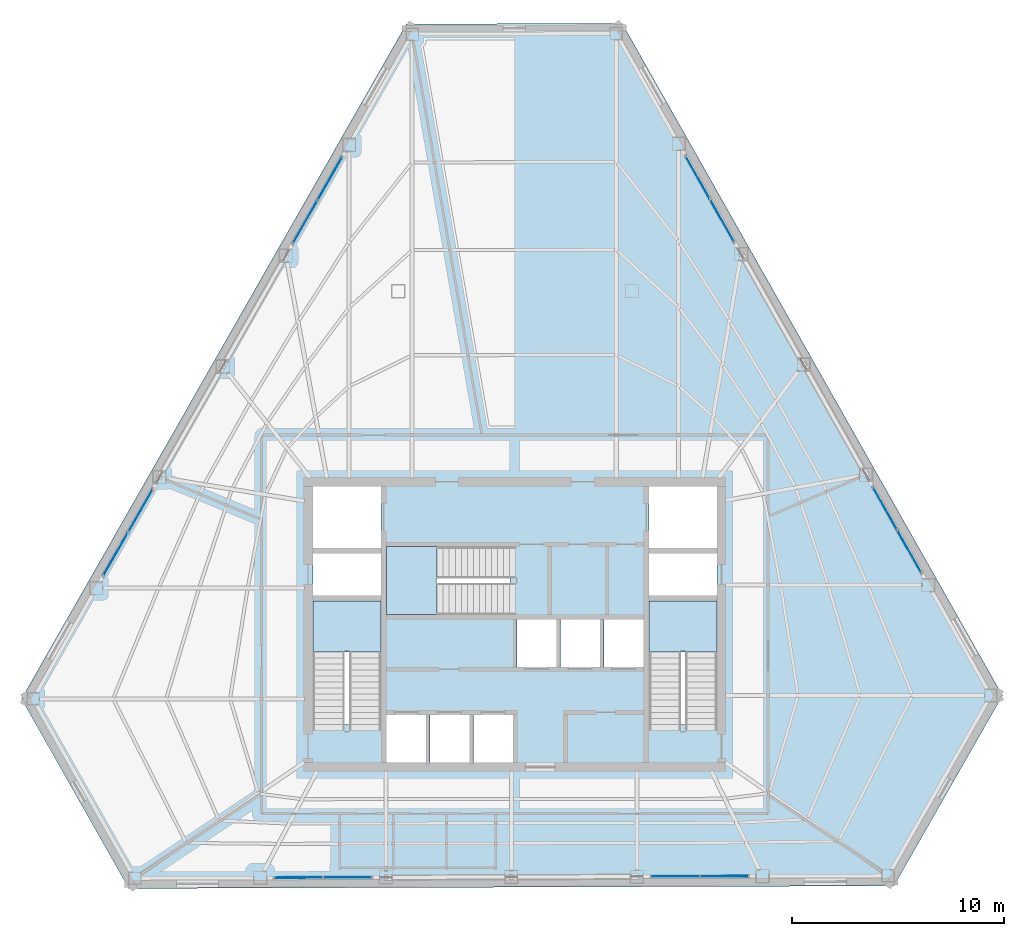
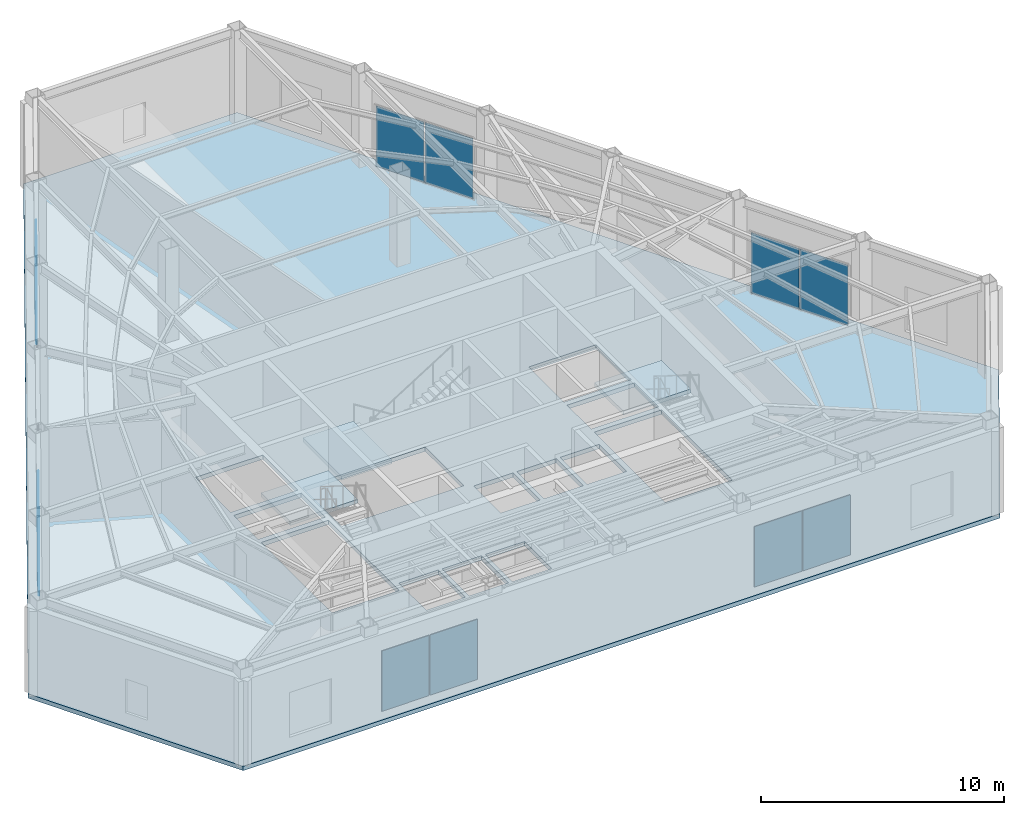
# One storey, part 8 of 14: 12 plates, 4 slabs, 9 elements without a shape of their own.
"""IFC4 building model written with IfcOpenShell, lengths in metres."""

from ifc_helpers import new_model, si_unit, direction, frame, origin, origin_2d, place, context, subcontext, project, spatial, polyline, rectangle, outline, extrude, material, layer, layer_set, type_object, element, aggregate, save


model = new_model("IFC4")

# Units and contexts
model_context = context("Model", 3, precision=1e-05, world=origin(), true_north=direction((0.0, 1.0)))
body_context = subcontext(model_context, "Body", "Model", "MODEL_VIEW")
ifc_project = project(units=[si_unit("LENGTHUNIT", "METRE"), si_unit("AREAUNIT", "SQUARE_METRE"), si_unit("VOLUMEUNIT", "CUBIC_METRE"), si_unit("PLANEANGLEUNIT", "RADIAN"), si_unit("MASSUNIT", "GRAM", prefix="KILO")], contexts=[model_context])

# Site, building, storey
site_placement = place(None, origin())
site = spatial("IfcSite", under=ifc_project, at=site_placement, CompositionType="ELEMENT")
building_placement = place(site_placement, origin())
building = spatial("IfcBuilding", under=site, at=building_placement, Name="Kavelnor Concourse Tower", CompositionType="ELEMENT")
storey_placement = place(building_placement, frame((0.0, 0.0, 160.0)))
storey = spatial("IfcBuildingStorey", under=building, at=storey_placement, Name="L40", CompositionType="ELEMENT", Elevation=160.0)

# Curtain wall, plates
ifc_material_1 = material(Name="Anodised aluminium 6063-T6", Category="aluminium")
ifc_layer_1 = layer(ifc_material_1, 0.169921875, Name="Anodised aluminium 6063-T6")
ifc_layer_set_1 = layer_set([ifc_layer_1], Name="Anodised aluminium 6063-T6")
curtain_wall_type = type_object("IfcCurtainWallType", Name="CW-SKYLOBBY-L40", PredefinedType="NOTDEFINED", material=ifc_layer_set_1)
curtain_wall_1_placement = place(storey_placement, origin())
curtain_wall_1 = element("IfcCurtainWall", 1, at=curtain_wall_1_placement, inside=storey, type_object=curtain_wall_type, Name="L40 Feature Curtain Wall F0-B1", PredefinedType="NOTDEFINED")
ifc_material_2 = material(Name="Double low-E argon insulated glazing", Category="glass")
ifc_layer_2 = layer(ifc_material_2, 0.028076171875, Name="Double low-E argon insulated glazing")
ifc_layer_set_2 = layer_set([ifc_layer_2], Name="Double low-E argon insulated glazing")
plate_type = type_object("IfcPlateType", Name="CW-SKYLOBBY-L40-PANEL", PredefinedType="CURTAIN_PANEL", material=ifc_layer_set_2)
plate_1_placement = place(storey_placement, frame((29.27880859375, 37.10791015625, 0.06005859375), z_axis=(0.0, 0.0, 1.0), x_axis=(-0.495458668432, -0.868631514438, 0.0)))
plate_1 = element("IfcPlate", 2, at=plate_1_placement, type_object=plate_type, Name="L40 Feature Curtain Wall F0-B1 Vision Panel 1", PredefinedType="CURTAIN_PANEL", context=body_context, shape_type="SweptSolid", body=[
    extrude(rectangle(XDim=2.30126953125, YDim=0.028076171875, at=origin_2d()), origin(), (0.0, 0.0, 1.0), 3.030029296875),
])
plate_2_placement = place(storey_placement, frame((28.11181640625, 35.06201171875, 0.06005859375), z_axis=(0.0, 0.0, 1.0), x_axis=(-0.495458668432, -0.868631514438, 0.0)))
plate_2 = element("IfcPlate", 3, at=plate_2_placement, type_object=plate_type, Name="L40 Feature Curtain Wall F0-B1 Vision Panel 2", PredefinedType="CURTAIN_PANEL", context=body_context, shape_type="SweptSolid", body=[
    extrude(rectangle(XDim=2.30126953125, YDim=0.028076171875, at=origin_2d()), origin(), (0.0, 0.0, 1.0), 3.030029296875),
])
aggregate(curtain_wall_1, [plate_1, plate_2])

curtain_wall_2_placement = place(storey_placement, origin())
curtain_wall_2 = element("IfcCurtainWall", 4, at=curtain_wall_2_placement, inside=storey, type_object=curtain_wall_type, Name="L40 Feature Curtain Wall F0-B4", PredefinedType="NOTDEFINED")
plate_3_placement = place(storey_placement, frame((20.345703125, 21.4453125, 0.06005859375), z_axis=(0.0, 0.0, 1.0), x_axis=(-0.495458668432, -0.868631514438, 0.0)))
plate_3 = element("IfcPlate", 5, at=plate_3_placement, type_object=plate_type, Name="L40 Feature Curtain Wall F0-B4 Vision Panel 1", PredefinedType="CURTAIN_PANEL", context=body_context, shape_type="SweptSolid", body=[
    extrude(rectangle(XDim=2.30126953125, YDim=0.028076171875, at=origin_2d()), origin(), (0.0, 0.0, 1.0), 3.030029296875),
])
plate_4_placement = place(storey_placement, frame((19.178955078125, 19.3994140625, 0.06005859375), z_axis=(0.0, 0.0, 1.0), x_axis=(-0.495458668432, -0.868631514438, 0.0)))
plate_4 = element("IfcPlate", 6, at=plate_4_placement, type_object=plate_type, Name="L40 Feature Curtain Wall F0-B4 Vision Panel 2", PredefinedType="CURTAIN_PANEL", context=body_context, shape_type="SweptSolid", body=[
    extrude(rectangle(XDim=2.30126953125, YDim=0.028076171875, at=origin_2d()), origin(), (0.0, 0.0, 1.0), 3.030029296875),
])
aggregate(curtain_wall_2, [plate_3, plate_4])

curtain_wall_3_placement = place(storey_placement, origin())
curtain_wall_3 = element("IfcCurtainWall", 7, at=curtain_wall_3_placement, inside=storey, type_object=curtain_wall_type, Name="L40 Feature Curtain Wall F1-B1", PredefinedType="NOTDEFINED")
plate_5_placement = place(storey_placement, frame((27.803955078125, 4.15966796875, 0.06005859375), z_axis=(0.0, 0.0, 1.0), x_axis=(0.999994501661, 0.003316119501, 0.0)))
plate_5 = element("IfcPlate", 8, at=plate_5_placement, type_object=plate_type, Name="L40 Feature Curtain Wall F1-B1 Vision Panel 1", PredefinedType="CURTAIN_PANEL", context=body_context, shape_type="SweptSolid", body=[
    extrude(rectangle(XDim=2.2548828125, YDim=0.028076171875, at=origin_2d()), origin(), (0.0, 0.0, 1.0), 3.030029296875),
])
plate_6_placement = place(storey_placement, frame((30.11279296875, 4.16748046875, 0.06005859375), z_axis=(0.0, 0.0, 1.0), x_axis=(0.999994501661, 0.003316119501, 0.0)))
plate_6 = element("IfcPlate", 9, at=plate_6_placement, type_object=plate_type, Name="L40 Feature Curtain Wall F1-B1 Vision Panel 2", PredefinedType="CURTAIN_PANEL", context=body_context, shape_type="SweptSolid", body=[
    extrude(rectangle(XDim=2.2548828125, YDim=0.028076171875, at=origin_2d()), origin(), (0.0, 0.0, 1.0), 3.030029296875),
])
aggregate(curtain_wall_3, [plate_5, plate_6])

curtain_wall_4_placement = place(storey_placement, origin())
curtain_wall_4 = element("IfcCurtainWall", 10, at=curtain_wall_4_placement, inside=storey, type_object=curtain_wall_type, Name="L40 Feature Curtain Wall F1-B4", PredefinedType="NOTDEFINED")
plate_7_placement = place(storey_placement, frame((45.5576171875, 4.219482421875, 0.06005859375), z_axis=(0.0, 0.0, 1.0), x_axis=(0.999994501661, 0.003316119501, 0.0)))
plate_7 = element("IfcPlate", 11, at=plate_7_placement, type_object=plate_type, Name="L40 Feature Curtain Wall F1-B4 Vision Panel 1", PredefinedType="CURTAIN_PANEL", context=body_context, shape_type="SweptSolid", body=[
    extrude(rectangle(XDim=2.2548828125, YDim=0.028076171875, at=origin_2d()), origin(), (0.0, 0.0, 1.0), 3.030029296875),
])
plate_8_placement = place(storey_placement, frame((47.8662109375, 4.227294921875, 0.06005859375), z_axis=(0.0, 0.0, 1.0), x_axis=(0.999994501661, 0.003316119501, 0.0)))
plate_8 = element("IfcPlate", 12, at=plate_8_placement, type_object=plate_type, Name="L40 Feature Curtain Wall F1-B4 Vision Panel 2", PredefinedType="CURTAIN_PANEL", context=body_context, shape_type="SweptSolid", body=[
    extrude(rectangle(XDim=2.2548828125, YDim=0.028076171875, at=origin_2d()), origin(), (0.0, 0.0, 1.0), 3.030029296875),
])
aggregate(curtain_wall_4, [plate_7, plate_8])

curtain_wall_5_placement = place(storey_placement, origin())
curtain_wall_5 = element("IfcCurtainWall", 13, at=curtain_wall_5_placement, inside=storey, type_object=curtain_wall_type, Name="L40 Feature Curtain Wall F2-B1", PredefinedType="NOTDEFINED")
plate_9_placement = place(storey_placement, frame((56.595703125, 19.531494140625, 0.06005859375), z_axis=(0.0, 0.0, 1.0), x_axis=(-0.492423560103, 0.87035569594, 0.0)))
plate_9 = element("IfcPlate", 14, at=plate_9_placement, type_object=plate_type, Name="L40 Feature Curtain Wall F2-B1 Vision Panel 1", PredefinedType="CURTAIN_PANEL", context=body_context, shape_type="SweptSolid", body=[
    extrude(rectangle(XDim=2.283447265625, YDim=0.028076171875, at=origin_2d()), origin(), (0.0, 0.0, 1.0), 3.030029296875),
])
plate_10_placement = place(storey_placement, frame((55.444580078125, 21.56591796875, 0.06005859375), z_axis=(0.0, 0.0, 1.0), x_axis=(-0.492423560103, 0.87035569594, 0.0)))
plate_10 = element("IfcPlate", 15, at=plate_10_placement, type_object=plate_type, Name="L40 Feature Curtain Wall F2-B1 Vision Panel 2", PredefinedType="CURTAIN_PANEL", context=body_context, shape_type="SweptSolid", body=[
    extrude(rectangle(XDim=2.283447265625, YDim=0.028076171875, at=origin_2d()), origin(), (0.0, 0.0, 1.0), 3.030029296875),
])
aggregate(curtain_wall_5, [plate_9, plate_10])

curtain_wall_6_placement = place(storey_placement, origin())
curtain_wall_6 = element("IfcCurtainWall", 16, at=curtain_wall_6_placement, inside=storey, type_object=curtain_wall_type, Name="L40 Feature Curtain Wall F2-B4", PredefinedType="NOTDEFINED")
plate_11_placement = place(storey_placement, frame((47.76806640625, 35.1318359375, 0.06005859375), z_axis=(0.0, 0.0, 1.0), x_axis=(-0.492423560103, 0.87035569594, 0.0)))
plate_11 = element("IfcPlate", 17, at=plate_11_placement, type_object=plate_type, Name="L40 Feature Curtain Wall F2-B4 Vision Panel 1", PredefinedType="CURTAIN_PANEL", context=body_context, shape_type="SweptSolid", body=[
    extrude(rectangle(XDim=2.283447265625, YDim=0.028076171875, at=origin_2d()), origin(), (0.0, 0.0, 1.0), 3.030029296875),
])
plate_12_placement = place(storey_placement, frame((46.616943359375, 37.166015625, 0.06005859375), z_axis=(0.0, 0.0, 1.0), x_axis=(-0.492423560103, 0.87035569594, 0.0)))
plate_12 = element("IfcPlate", 18, at=plate_12_placement, type_object=plate_type, Name="L40 Feature Curtain Wall F2-B4 Vision Panel 2", PredefinedType="CURTAIN_PANEL", context=body_context, shape_type="SweptSolid", body=[
    extrude(rectangle(XDim=2.283447265625, YDim=0.028076171875, at=origin_2d()), origin(), (0.0, 0.0, 1.0), 3.030029296875),
])
aggregate(curtain_wall_6, [plate_11, plate_12])

# Stair, slab
ifc_material_3 = material(Name="Concrete C40/50", Category="concrete")
stair_type = type_object("IfcStairType", Name="STR-CORE-1500", PredefinedType="HALF_TURN_STAIR", material=ifc_material_3)
stair_1_placement = place(storey_placement, origin())
stair_1 = element("IfcStair", 19, at=stair_1_placement, inside=storey, type_object=stair_type, Name="L40 ST1", PredefinedType="HALF_TURN_STAIR")
ifc_layer_3 = layer(ifc_material_3, 0.199951171875, Name="Concrete C40/50")
ifc_layer_set_3 = layer_set([ifc_layer_3], Name="Concrete C40/50")
slab_type_1 = type_object("IfcSlabType", Name="SLB-LANDING-200", PredefinedType="LANDING", material=ifc_layer_set_3)
slab_1_placement = place(storey_placement, frame((0.0, 0.0, 2.300048828125)))
slab_1 = element("IfcSlab", 20, at=slab_1_placement, type_object=slab_type_1, Name="ST1 landing 1", PredefinedType="LANDING", context=body_context, shape_type="SweptSolid", body=[
    extrude(outline(polyline([(31.679931640625, 14.804931640625), (31.679931640625, 17.199951171875), (28.47998046875, 17.199951171875), (28.47998046875, 14.804931640625), (31.679931640625, 14.804931640625)])), origin(), (0.0, 0.0, 1.0), 0.199951171875),
])
aggregate(stair_1, [slab_1])

stair_2_placement = place(storey_placement, origin())
stair_2 = element("IfcStair", 21, at=stair_2_placement, inside=storey, type_object=stair_type, Name="L40 ST2", PredefinedType="HALF_TURN_STAIR")
slab_2_placement = place(storey_placement, frame((0.0, 0.0, 2.300048828125)))
slab_2 = element("IfcSlab", 22, at=slab_2_placement, type_object=slab_type_1, Name="ST2 landing 1", PredefinedType="LANDING", context=body_context, shape_type="SweptSolid", body=[
    extrude(outline(polyline([(47.52001953125, 14.804931640625), (47.52001953125, 17.199951171875), (44.320068359375, 17.199951171875), (44.320068359375, 14.804931640625), (47.52001953125, 14.804931640625)])), origin(), (0.0, 0.0, 1.0), 0.199951171875),
])
aggregate(stair_2, [slab_2])

stair_3_placement = place(storey_placement, origin())
stair_3 = element("IfcStair", 23, at=stair_3_placement, inside=storey, type_object=stair_type, Name="L40 ST3", PredefinedType="HALF_TURN_STAIR")
slab_3_placement = place(storey_placement, frame((0.0, 0.0, 2.300048828125)))
slab_3 = element("IfcSlab", 24, at=slab_3_placement, type_object=slab_type_1, Name="ST3 landing 1", PredefinedType="LANDING", context=body_context, shape_type="SweptSolid", body=[
    extrude(outline(polyline([(34.3349609375, 19.760009765625), (31.93994140625, 19.760009765625), (31.93994140625, 16.56005859375), (34.3349609375, 16.56005859375), (34.3349609375, 19.760009765625)])), origin(), (0.0, 0.0, 1.0), 0.199951171875),
])
aggregate(stair_3, [slab_3])

# Slab
ifc_layer_4 = layer(ifc_material_3, 0.215087890625, Name="Concrete C40/50")
ifc_layer_set_4 = layer_set([ifc_layer_4], Name="Concrete C40/50")
slab_type_2 = type_object("IfcSlabType", Name="SLB-SKYLOBBY-215", PredefinedType="FLOOR", material=ifc_layer_set_4)
slab_4_placement = place(storey_placement, frame((0.0, 0.0, -0.215087890625)))
element("IfcSlab", 25, at=slab_4_placement, inside=storey, type_object=slab_type_2, Name="L40 Composite Structural Floor Slab", PredefinedType="FLOOR", context=body_context, shape_type="SweptSolid", body=[
    extrude(outline(polyline([(43.05810546875, 44.429931640625), (32.88232421875, 44.3955078125), (14.743896484375, 12.591796875), (19.802001953125, 3.652587890625), (55.8681640625, 3.7744140625), (60.98583984375, 12.747802734375), (43.05810546875, 44.429931640625)]), holes=[polyline([(28.47998046875, 11.3798828125), (31.679931640625, 11.3798828125), (31.679931640625, 17.199951171875), (28.47998046875, 17.199951171875), (28.47998046875, 11.3798828125)]), polyline([(44.320068359375, 11.3798828125), (47.52001953125, 11.3798828125), (47.52001953125, 17.199951171875), (44.320068359375, 17.199951171875), (44.320068359375, 11.3798828125)]), polyline([(31.93994140625, 16.56005859375), (37.760009765625, 16.56005859375), (37.760009765625, 19.760009765625), (31.93994140625, 19.760009765625), (31.93994140625, 16.56005859375)]), polyline([(28.47998046875, 19.699951171875), (31.679931640625, 19.699951171875), (31.679931640625, 22.60009765625), (28.47998046875, 22.60009765625), (28.47998046875, 19.699951171875)]), polyline([(44.320068359375, 19.699951171875), (47.52001953125, 19.699951171875), (47.52001953125, 22.60009765625), (44.320068359375, 22.60009765625), (44.320068359375, 19.699951171875)]), polyline([(38.090087890625, 14.10009765625), (39.9599609375, 14.10009765625), (39.9599609375, 16.340087890625), (38.090087890625, 16.340087890625), (38.090087890625, 14.10009765625)]), polyline([(40.139892578125, 14.10009765625), (42.010009765625, 14.10009765625), (42.010009765625, 16.340087890625), (40.139892578125, 16.340087890625), (40.139892578125, 14.10009765625)]), polyline([(42.18994140625, 14.10009765625), (44.06005859375, 14.10009765625), (44.06005859375, 16.340087890625), (42.18994140625, 16.340087890625), (42.18994140625, 14.10009765625)]), polyline([(31.93994140625, 9.60009765625), (33.81005859375, 9.60009765625), (33.81005859375, 11.840087890625), (31.93994140625, 11.840087890625), (31.93994140625, 9.60009765625)]), polyline([(33.989990234375, 9.60009765625), (35.860107421875, 9.60009765625), (35.860107421875, 11.840087890625), (33.989990234375, 11.840087890625), (33.989990234375, 9.60009765625)]), polyline([(36.0400390625, 9.60009765625), (37.909912109375, 9.60009765625), (37.909912109375, 11.840087890625), (36.0400390625, 11.840087890625), (36.0400390625, 9.60009765625)]), polyline([(28.47998046875, 17.4599609375), (31.679931640625, 17.4599609375), (31.679931640625, 19.43994140625), (28.47998046875, 19.43994140625), (28.47998046875, 17.4599609375)]), polyline([(44.320068359375, 17.4599609375), (47.52001953125, 17.4599609375), (47.52001953125, 19.43994140625), (44.320068359375, 19.43994140625), (44.320068359375, 17.4599609375)])]), origin(), (0.0, 0.0, 1.0), 0.215087890625),
])

save(model, "model.ifc")
